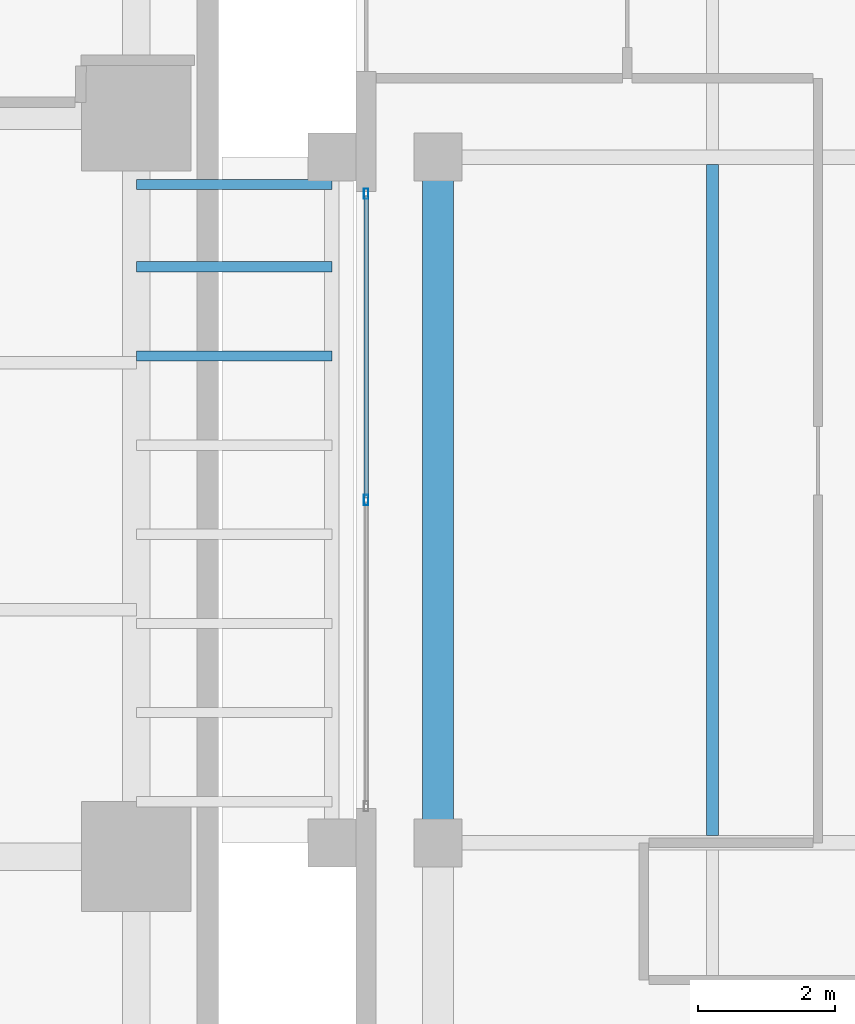
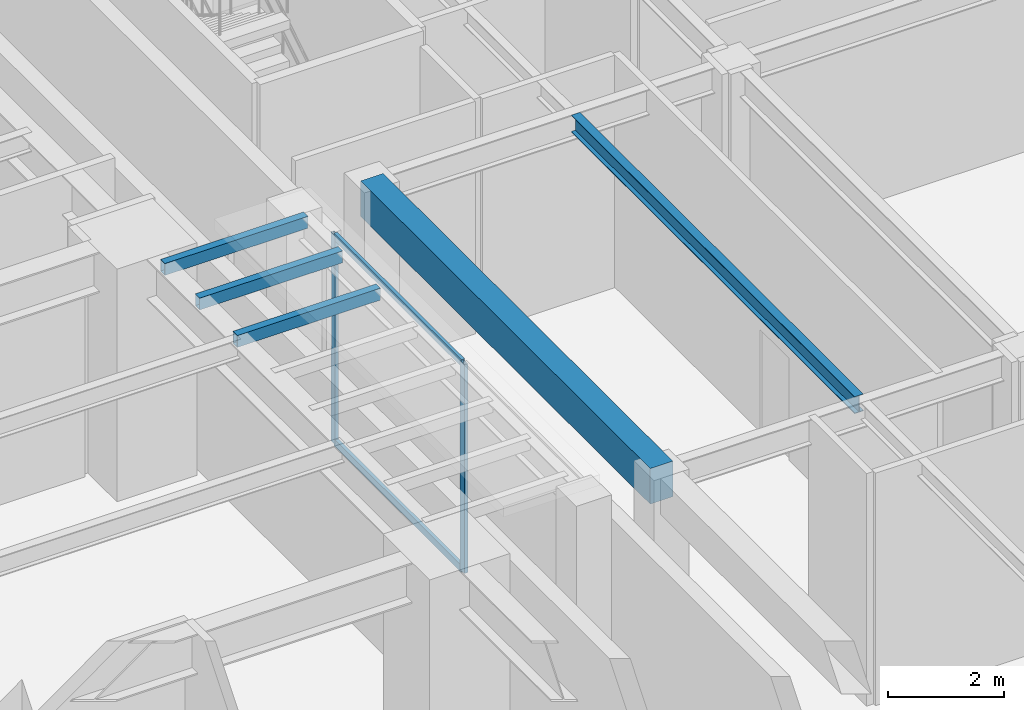
# One storey, part 9 of 28: 7 members, 2 beams, 1 element without a shape of its own.
"""IFC4 building model written with IfcOpenShell, lengths in metres."""

from ifc_helpers import new_model, si_unit, direction, frame, origin, origin_2d, place, context, subcontext, project, spatial, rectangle, hollow_rectangle, i_section, extrude, source, transform, mapped, material, layer, layer_set, material_profile, profile_set, type_object, type_shapes, element, aggregate, save


model = new_model("IFC4")

# Units and contexts
model_context = context("Model", 3, precision=1e-05, world=origin(), true_north=direction((0.0, 1.0)))
body_context = subcontext(model_context, "Body", "Model", "MODEL_VIEW")
ifc_project = project(units=[si_unit("LENGTHUNIT", "METRE"), si_unit("AREAUNIT", "SQUARE_METRE"), si_unit("VOLUMEUNIT", "CUBIC_METRE"), si_unit("PLANEANGLEUNIT", "RADIAN"), si_unit("MASSUNIT", "GRAM", prefix="KILO")], contexts=[model_context])

# Site, building, storey
site_placement = place(None, origin())
site = spatial("IfcSite", under=ifc_project, at=site_placement, CompositionType="ELEMENT")
building_placement = place(site_placement, origin())
building = spatial("IfcBuilding", under=site, at=building_placement, Name="Talar Marvaseh", CompositionType="ELEMENT")
storey_placement = place(building_placement, origin())
storey = spatial("IfcBuildingStorey", under=building, at=storey_placement, Name="L00", CompositionType="ELEMENT", Elevation=0.0)

# Beams
ifc_material_1 = material(Name="Concrete C40/50", Category="concrete")
ifc_material_profile_1 = material_profile(ifc_material_1, rectangle(XDim=0.449951171875, YDim=0.75, at=origin_2d()), Name="RC450x750")
ifc_profile_set_1 = profile_set([ifc_material_profile_1], Name="Concrete C40/50")
beam_type_1 = type_object("IfcBeamType", Name="Market Concrete Edge Beam RC450x750", PredefinedType="SPANDREL", material=ifc_profile_set_1)
beam_1_placement = place(storey_placement, frame((55.199951171875, 26.0, 4.52490234375), z_axis=(0.0, 1.0, 0.0), x_axis=(-1.0, 0.0, 0.0)))
element("IfcBeam", 1, at=beam_1_placement, inside=storey, type_object=beam_type_1, Name="L00 Market Concrete Edge Beam RC450x750", PredefinedType="SPANDREL", context=body_context, shape_type="SweptSolid", body=[
    extrude(rectangle(XDim=0.449951171875, YDim=0.75, at=origin_2d()), origin(), (0.0, 0.0, 1.0), 10.0),
])
ifc_material_2 = material(Name="Steel S355", Category="steel")
ifc_material_profile_2 = material_profile(ifc_material_2, i_section(OverallWidth=0.172119140625, OverallDepth=0.35791015625, WebThickness=0.0078125, FlangeThickness=0.01318359375, at=origin_2d()), Name="W360x57")
ifc_profile_set_2 = profile_set([ifc_material_profile_2], Name="Steel S355")
beam_type_2 = type_object("IfcBeamType", Name="Zone 2 Secondary Floor Joist W360x57", PredefinedType="JOIST", material=ifc_profile_set_2)
beam_2_placement = place(storey_placement, frame((59.199951171875, 26.10498046875, 4.720947265625), z_axis=(0.0, 1.0, 0.0), x_axis=(-1.0, 0.0, 0.0)))
element("IfcBeam", 2, at=beam_2_placement, inside=storey, type_object=beam_type_2, Name="L00 Zone 2 Secondary Floor Joist W360x57", PredefinedType="JOIST", context=body_context, shape_type="SweptSolid", body=[
    extrude(i_section(OverallWidth=0.172119140625, OverallDepth=0.35791015625, WebThickness=0.0078125, FlangeThickness=0.01318359375, at=origin_2d()), origin(), (0.0, 0.0, 1.0), 9.7900390625),
])

# Members
ifc_material_profile_3 = material_profile(ifc_material_2, hollow_rectangle(XDim=0.14990234375, YDim=0.25, WallThickness=0.010009765625, at=origin_2d()), Name="RHS250x150x10")
ifc_profile_set_3 = profile_set([ifc_material_profile_3], Name="Steel S355")
member_type_1 = type_object("IfcMemberType", Name="Movement Joint PTFE Elastomeric Sliding Bearing", PredefinedType="USERDEFINED", material=ifc_profile_set_3)
shared_shape_1 = source(origin(), body_context, "Body", "SweptSolid", [
    extrude(hollow_rectangle(XDim=0.14990234375, YDim=0.25, WallThickness=0.010009765625, at=origin_2d()), origin(), (0.0, 0.0, 1.0), 2.849853515625),
])
type_shapes(member_type_1, [shared_shape_1])
for number, where, z_axis, x_axis, name in (
    (3, (50.800048828125, 33.10009765625, 4.780029296875), (1.0, 0.0, 0.0), (0.0, 1.0, 0.0), "L00 Movement Joint PTFE Sliding Bearing 6"),
    (4, (50.800048828125, 34.39990234375, 4.780029296875), (1.0, 0.0, 0.0), (0.0, 1.0, 0.0), "L00 Movement Joint PTFE Sliding Bearing 7"),
    (5, (50.800048828125, 35.60009765625, 4.780029296875), (1.0, 0.0, 0.0), (0.0, 1.0, 0.0), "L00 Movement Joint PTFE Sliding Bearing 8"),
):
    element("IfcMember", number, at=place(storey_placement, frame(where, z_axis=z_axis, x_axis=x_axis)), inside=storey, type_object=member_type_1, Name=name, ObjectType="BEARING", PredefinedType="USERDEFINED", context=body_context, shape_type="MappedRepresentation", body=[
        mapped(shared_shape_1, transform((0.0, 0.0, 0.0), x_axis=(1.0, 0.0, 0.0), y_axis=(0.0, 1.0, 0.0), z_axis=(0.0, 0.0, 1.0), scale=1.0)),
    ])

# Curtain wall, members
ifc_material_3 = material(Name="Architectural Aluminium", Category="aluminium")
ifc_layer = layer(ifc_material_3, 0.169921875)
ifc_layer_set = layer_set([ifc_layer], Name="Architectural Aluminium")
curtain_wall_type = type_object("IfcCurtainWallType", Name="Market Hall Clerestory and Courtyard Curtain Wall", PredefinedType="NOTDEFINED", material=ifc_layer_set)
curtain_wall_placement = place(storey_placement, origin())
curtain_wall = element("IfcCurtainWall", 6, at=curtain_wall_placement, inside=storey, type_object=curtain_wall_type, Name="L00 Market Hall Clerestory and Courtyard Curtain Wall", PredefinedType="NOTDEFINED")
ifc_material_profile_4 = material_profile(ifc_material_3, hollow_rectangle(XDim=0.06494140625, YDim=0.14990234375, WallThickness=0.00390625, at=origin_2d()), Name="RHS150x65x4")
ifc_profile_set_4 = profile_set([ifc_material_profile_4], Name="Architectural Aluminium")
member_type_2 = type_object("IfcMemberType", Name="Unitised Curtain Wall Slim Transom RHS150x65x4", PredefinedType="USERDEFINED", material=ifc_profile_set_4)
shared_shape_2 = source(origin(), body_context, "Body", "SweptSolid", [
    extrude(hollow_rectangle(XDim=0.06494140625, YDim=0.14990234375, WallThickness=0.00390625, at=origin_2d()), origin(), (0.0, 0.0, 1.0), 4.402587890625),
])
type_shapes(member_type_2, [shared_shape_2])
member_1_placement = place(storey_placement, frame((54.14990234375, 31.032470703125, 0.032470703125), z_axis=(0.0, 1.0, 0.0), x_axis=(-1.0, 0.0, 0.0)))
member_1 = element("IfcMember", 7, at=member_1_placement, type_object=member_type_2, Name="CW-MKT transom 2.1", ObjectType="TRANSOM", PredefinedType="USERDEFINED", context=body_context, shape_type="MappedRepresentation", body=[
    mapped(shared_shape_2, transform((0.0, 0.0, 0.0), x_axis=(1.0, 0.0, 0.0), y_axis=(0.0, 1.0, 0.0), z_axis=(0.0, 0.0, 1.0), scale=1.0)),
])
member_2_placement = place(storey_placement, frame((54.14990234375, 31.032470703125, 4.367431640625), z_axis=(0.0, 1.0, 0.0), x_axis=(-1.0, 0.0, 0.0)))
member_2 = element("IfcMember", 8, at=member_2_placement, type_object=member_type_2, Name="CW-MKT transom 2.2", ObjectType="TRANSOM", PredefinedType="USERDEFINED", context=body_context, shape_type="MappedRepresentation", body=[
    mapped(shared_shape_2, transform((0.0, 0.0, 0.0), x_axis=(1.0, 0.0, 0.0), y_axis=(0.0, 1.0, 0.0), z_axis=(0.0, 0.0, 1.0), scale=1.0)),
])
ifc_material_profile_5 = material_profile(ifc_material_3, hollow_rectangle(XDim=0.06494140625, YDim=0.14990234375, WallThickness=0.00390625, at=origin_2d()), Name="RHS150x65x4")
ifc_profile_set_5 = profile_set([ifc_material_profile_5], Name="Architectural Aluminium")
member_type_3 = type_object("IfcMemberType", Name="Unitised Curtain Wall Slim Mullion RHS150x65x4", PredefinedType="MULLION", material=ifc_profile_set_5)
shared_shape_3 = source(origin(), body_context, "Body", "SweptSolid", [
    extrude(hollow_rectangle(XDim=0.06494140625, YDim=0.14990234375, WallThickness=0.00390625, at=origin_2d()), origin(), (0.0, 0.0, 1.0), 4.39990234375),
])
type_shapes(member_type_3, [shared_shape_3])
member_3_placement = place(storey_placement, frame((54.14990234375, 31.0, 0.0), z_axis=(0.0, 0.0, 1.0), x_axis=(-1.0, 0.0, 0.0)))
member_3 = element("IfcMember", 9, at=member_3_placement, type_object=member_type_3, Name="CW-MKT mullion 2", PredefinedType="MULLION", context=body_context, shape_type="MappedRepresentation", body=[
    mapped(shared_shape_3, transform((0.0, 0.0, 0.0), x_axis=(1.0, 0.0, 0.0), y_axis=(0.0, 1.0, 0.0), z_axis=(0.0, 0.0, 1.0), scale=1.0)),
])
member_4_placement = place(storey_placement, frame((54.14990234375, 35.467529296875, 0.0), z_axis=(0.0, 0.0, 1.0), x_axis=(-1.0, 0.0, 0.0)))
member_4 = element("IfcMember", 10, at=member_4_placement, type_object=member_type_3, Name="CW-MKT mullion 3", PredefinedType="MULLION", context=body_context, shape_type="MappedRepresentation", body=[
    mapped(shared_shape_3, transform((0.0, 0.0, 0.0), x_axis=(1.0, 0.0, 0.0), y_axis=(0.0, 1.0, 0.0), z_axis=(0.0, 0.0, 1.0), scale=1.0)),
])
aggregate(curtain_wall, [member_3, member_4, member_1, member_2])

save(model, "model.ifc")
